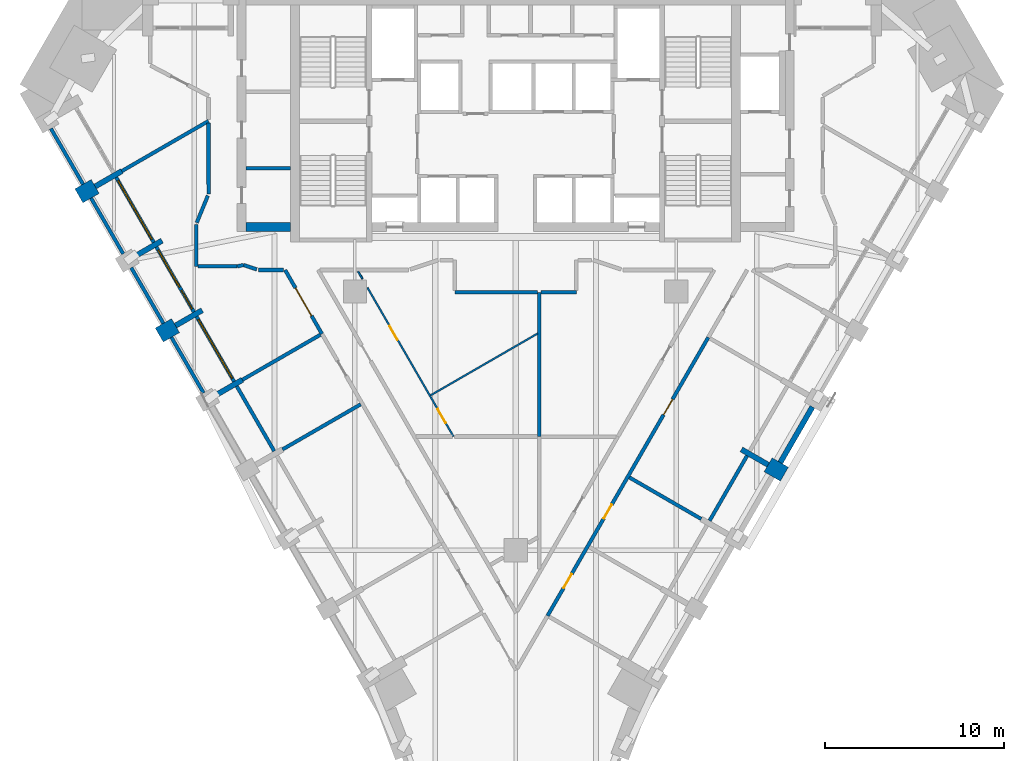
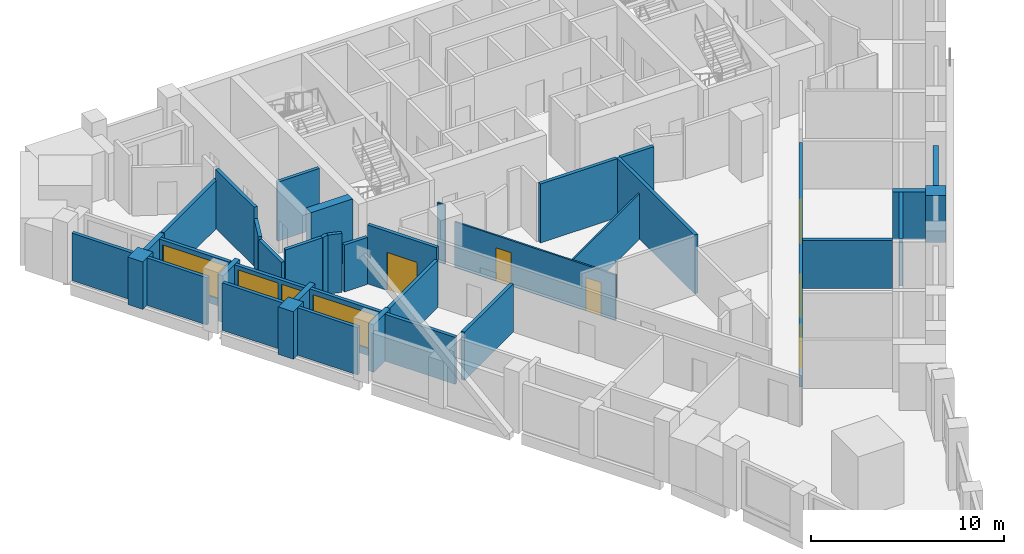
# One storey, part 4 of 10: 39 walls, 7 doors, 3 windows, 10 openings.
"""IFC4 building model written with IfcOpenShell, lengths in metres."""

from ifc_helpers import new_model, si_unit, direction, frame, frame_2d, origin, place, context, subcontext, project, spatial, polyline, rectangle, outline, extrude, material, layer, layer_set, type_object, element, fill, save


model = new_model("IFC4")

# Units and contexts
model_context = context("Model", 3, precision=1e-05, world=origin(), true_north=direction((0.0, 1.0)))
body_context = subcontext(model_context, "Body", "Model", "MODEL_VIEW")
ifc_project = project(units=[si_unit("LENGTHUNIT", "METRE"), si_unit("AREAUNIT", "SQUARE_METRE"), si_unit("VOLUMEUNIT", "CUBIC_METRE"), si_unit("PLANEANGLEUNIT", "RADIAN"), si_unit("MASSUNIT", "GRAM", prefix="KILO")], contexts=[model_context])

# Site, building, storey
site_placement = place(None, origin())
site = spatial("IfcSite", under=ifc_project, at=site_placement, CompositionType="ELEMENT")
building_placement = place(site_placement, origin())
building = spatial("IfcBuilding", under=site, at=building_placement, Name="Calabash Gate Tower", CompositionType="ELEMENT")
storey_placement = place(building_placement, frame((0.0, 0.0, 152.39990234375)))
storey = spatial("IfcBuildingStorey", under=building, at=storey_placement, Name="L35", CompositionType="ELEMENT", Elevation=152.39990234375)

# Walls
ifc_material_1 = material(Name="Terracotta brick masonry, exposed face", Category="masonry")
ifc_layer_1 = layer(ifc_material_1, 1.050048828125)
ifc_layer_set_1 = layer_set([ifc_layer_1], Name="Brick end wall 1050")
wall_type_1 = type_object("IfcWallType", Name="Brick end wall 1050", PredefinedType="SOLIDWALL", material=ifc_layer_set_1)
for number, where, z_axis, x_axis, name in (
    (1, (-24.459716796875, 7.8505859375, 0.0), (0.0, 0.0, 1.0), (0.866088799389, 0.499890179513, 0.0), "Brick pier S09 SW0.1"),
    (2, (-19.959716796875, 0.05615234375, 0.0), (0.0, 0.0, 1.0), (0.865988129768, 0.500064554934, 0.0), "Brick pier S09 SW0.3"),
    (3, (15.05029296875, -7.738037109375, 0.0), (0.0, 0.0, 1.0), (-0.865988129768, 0.500064554934, 0.0), "Brick pier S09 SE4.3"),
):
    element("IfcWall", number, at=place(storey_placement, frame(where, z_axis=z_axis, x_axis=x_axis)), inside=storey, type_object=wall_type_1, Name=name, PredefinedType="SOLIDWALL", context=body_context, shape_type="SweptSolid", body=[
        extrude(rectangle(XDim=1.050048828125, YDim=0.89990234375, at=frame_2d((0.52490234375, 0.0))), origin(), (0.0, 0.0, 1.0), 3.0),
    ])
ifc_material_2 = material(Name="Terracotta brick masonry, exposed face", Category="masonry")
ifc_layer_2 = layer(ifc_material_2, 0.300048828125)
ifc_layer_set_2 = layer_set([ifc_layer_2], Name="Brick infill panel wall 300")
wall_type_2 = type_object("IfcWallType", Name="Brick infill panel wall 300", PredefinedType="SOLIDWALL", material=ifc_layer_set_2)
wall_1_placement = place(storey_placement, frame((14.820556640625, -7.085693359375, 0.0), z_axis=(0.0, 0.0, 1.0), x_axis=(0.500012057535, 0.866018442252, 0.0)))
element("IfcWall", 4, at=wall_1_placement, inside=storey, type_object=wall_type_2, Name="Brick panel S09 SE4.4", PredefinedType="SOLIDWALL", context=body_context, shape_type="SweptSolid", body=[
    extrude(rectangle(XDim=3.60009765625, YDim=0.300048828125, at=frame_2d((1.800048828125, 0.0))), origin(), (0.0, 0.0, 1.0), 3.0),
])
ifc_material_3 = material(Name="Terracotta brick masonry, exposed face", Category="masonry")
ifc_layer_3 = layer(ifc_material_3, 0.300048828125)
ifc_layer_set_3 = layer_set([ifc_layer_3], Name="Brick loggia cheek wall 300")
wall_type_3 = type_object("IfcWallType", Name="Brick loggia cheek wall 300", PredefinedType="SOLIDWALL", material=ifc_layer_set_3)
wall_2_placement = place(storey_placement, frame((-23.55029296875, 8.37548828125, 0.0), z_axis=(0.0, 0.0, 1.0), x_axis=(0.866013532718, 0.500020560727, 0.0)))
element("IfcWall", 5, at=wall_2_placement, inside=storey, type_object=wall_type_3, Name="Loggia cheek S09 SW0.1", PredefinedType="SOLIDWALL", context=body_context, shape_type="SweptSolid", body=[
    extrude(rectangle(XDim=1.72509765625, YDim=0.300048828125, at=frame_2d((0.862548828125, 0.0))), origin(), (0.0, 0.0, 1.0), 3.0),
])
wall_3_placement = place(storey_placement, frame((-21.298828125, 4.479248046875, 0.0), z_axis=(0.0, 0.0, 1.0), x_axis=(0.866046395405, 0.499963639683, 0.0)))
element("IfcWall", 6, at=wall_3_placement, inside=storey, type_object=wall_type_3, Name="Loggia cheek S09 SW0.2", PredefinedType="SOLIDWALL", context=body_context, shape_type="SweptSolid", body=[
    extrude(rectangle(XDim=1.723388671875, YDim=0.300048828125, at=frame_2d((0.86181640625, 0.0))), origin(), (0.0, 0.0, 1.0), 2.9501953125),
])
wall_4_placement = place(storey_placement, frame((-19.05029296875, 0.581298828125, 0.0), z_axis=(0.0, 0.0, 1.0), x_axis=(0.866013532718, 0.500020560727, 0.0)))
element("IfcWall", 7, at=wall_4_placement, inside=storey, type_object=wall_type_3, Name="Loggia cheek S09 SW0.3", PredefinedType="SOLIDWALL", context=body_context, shape_type="SweptSolid", body=[
    extrude(rectangle(XDim=1.72509765625, YDim=0.300048828125, at=frame_2d((0.862548828125, 0.0))), origin(), (0.0, 0.0, 1.0), 3.0),
])
wall_5_placement = place(storey_placement, frame((-16.798583984375, -3.31494140625, 0.0), z_axis=(0.0, 0.0, 1.0), x_axis=(0.866010975815, 0.500024989144, 0.0)))
element("IfcWall", 8, at=wall_5_placement, inside=storey, type_object=wall_type_3, Name="Loggia cheek S09 SW0.4", PredefinedType="SOLIDWALL", context=body_context, shape_type="SweptSolid", body=[
    extrude(rectangle(XDim=1.72314453125, YDim=0.300048828125, at=frame_2d((0.861572265625, 0.0))), origin(), (0.0, 0.0, 1.0), 3.0),
])
wall_6_placement = place(storey_placement, frame((12.64697265625, -6.3505859375, 0.0), z_axis=(0.0, 0.0, 1.0), x_axis=(0.866074815912, -0.499914405916, 0.0)))
element("IfcWall", 9, at=wall_6_placement, inside=storey, type_object=wall_type_3, Name="Loggia cheek S09 SE4.3", PredefinedType="SOLIDWALL", context=body_context, shape_type="SweptSolid", body=[
    extrude(rectangle(XDim=1.724853515625, YDim=0.300048828125, at=frame_2d((0.8623046875, 0.0))), origin(), (0.0, 0.0, 1.0), 3.0),
])
ifc_material_4 = material(Name="Gypsum board on steel studs, mineral wool", Category="steel")
ifc_layer_4 = layer(ifc_material_4, 0.199951171875)
ifc_layer_set_4 = layer_set([ifc_layer_4], Name="Core partition 200 gypsum board")
wall_type_4 = type_object("IfcWallType", Name="Core partition 200 gypsum board", PredefinedType="PARTITIONING", material=ifc_layer_set_4)
wall_7_placement = place(storey_placement, frame((-15.10009765625, 9.402587890625, 0.0), z_axis=(0.0, 0.0, 1.0), x_axis=(1.0, 0.0, 0.0)))
element("IfcWall", 10, at=wall_7_placement, inside=storey, type_object=wall_type_4, Name="Core partition", PredefinedType="PARTITIONING", context=body_context, shape_type="SweptSolid", body=[
    extrude(rectangle(XDim=2.5, YDim=0.199951171875, at=frame_2d((1.25, 0.0))), origin(), (0.0, 0.0, 1.0), 3.72998046875),
])
ifc_material_5 = material(Name="Concrete C70/85", Category="concrete")
ifc_layer_5 = layer(ifc_material_5, 0.5)
ifc_layer_set_5 = layer_set([ifc_layer_5], Name="Core wall 500 Concrete C70/85")
wall_type_5 = type_object("IfcWallType", Name="Core wall 500 Concrete C70/85", PredefinedType="SHEAR", material=ifc_layer_set_5)
wall_8_placement = place(storey_placement, frame((-12.60009765625, 6.1025390625, 0.0), z_axis=(0.0, 0.0, 1.0), x_axis=(-1.0, 0.0, 0.0)))
element("IfcWall", 11, at=wall_8_placement, inside=storey, type_object=wall_type_5, Name="Core wall Z3-SW L35", PredefinedType="SHEAR", context=body_context, shape_type="SweptSolid", body=[
    extrude(rectangle(XDim=2.5, YDim=0.5, at=frame_2d((1.25, 0.0))), origin(), (0.0, 0.0, 1.0), 3.900146484375),
])
ifc_material_6 = material(Name="Gypsum board on steel studs, mineral wool", Category="steel")
ifc_layer_6 = layer(ifc_material_6, 0.10009765625)
ifc_layer_set_6 = layer_set([ifc_layer_6], Name="Partition 100 gypsum board")
wall_type_6 = type_object("IfcWallType", Name="Partition 100 gypsum board", PredefinedType="PARTITIONING", material=ifc_layer_set_6)
wall_9_placement = place(storey_placement, frame((-4.759033203125, -3.318115234375, 0.0), z_axis=(0.0, 0.0, 1.0), x_axis=(0.866002450397, 0.500039754326, 0.0)))
element("IfcWall", 12, at=wall_9_placement, inside=storey, type_object=wall_type_6, Name="Partition", PredefinedType="PARTITIONING", context=body_context, shape_type="SweptSolid", body=[
    extrude(rectangle(XDim=6.9267578125, YDim=0.10009765625, at=frame_2d((3.46337890625, 0.0))), origin(), (0.0, 0.0, 1.0), 2.88427734375),
])

# Wall, openings, doors
wall_10_placement = place(storey_placement, frame((-8.300048828125, 2.711669921875, 0.0), z_axis=(0.0, 0.0, 1.0), x_axis=(0.500225649327, -0.865895085882, 0.0)))
wall_10 = element("IfcWall", 13, at=wall_10_placement, inside=storey, type_object=wall_type_6, Name="Partition", PredefinedType="PARTITIONING", context=body_context, shape_type="SweptSolid", body=[
    extrude(rectangle(XDim=9.630859375, YDim=0.10009765625, at=frame_2d((4.8154296875, 0.0))), origin(), (0.0, 0.0, 1.0), 2.88427734375),
])
opening_1_placement = place(wall_10_placement, frame((2.474609375, 0.0, 0.0)))
opening_1 = element("IfcOpeningElement", 14, at=opening_1_placement, cuts=wall_10, Name="Opening 33-35-018", PredefinedType="OPENING", context=body_context, shape_type="SweptSolid", body=[
    extrude(rectangle(XDim=0.89990234375, YDim=2.10009765625, at=frame_2d((0.449951171875, 1.050048828125))), frame((0.0, 0.06005859375, 0.0), z_axis=(0.0, -1.0, 0.0), x_axis=(1.0, 0.0, 0.0)), (0.0, 0.0, 1.0), 0.1201171875),
])
opening_2_placement = place(wall_10_placement, frame((7.860595703125, 0.0, 0.0)))
opening_2 = element("IfcOpeningElement", 15, at=opening_2_placement, cuts=wall_10, Name="Opening 33-35-019", PredefinedType="OPENING", context=body_context, shape_type="SweptSolid", body=[
    extrude(rectangle(XDim=0.89990234375, YDim=2.10009765625, at=frame_2d((0.449951171875, 1.050048828125))), frame((0.0, 0.06005859375, 0.0), z_axis=(0.0, -1.0, 0.0), x_axis=(1.0, 0.0, 0.0)), (0.0, 0.0, 1.0), 0.1201171875),
])
ifc_material_7 = material(Name="Painted timber door", Category="wood")
door_type_1 = type_object("IfcDoorType", Name="WD1 WC door 900x2100", OperationType="NOTDEFINED", PredefinedType="DOOR", material=ifc_material_7)
door_1_placement = place(opening_1_placement, origin())
door_1 = element("IfcDoor", 16, at=door_1_placement, inside=storey, type_object=door_type_1, Name="WC door", OperationType="SINGLE_SWING_LEFT", OverallHeight=2.10009765625, OverallWidth=0.89990234375, PredefinedType="DOOR", context=body_context, shape_type="SweptSolid", body=[
    extrude(rectangle(XDim=0.89990234375, YDim=2.10009765625, at=frame_2d((0.449951171875, 1.050048828125))), frame((0.0, 0.02490234375, 0.0), z_axis=(0.0, -1.0, 0.0), x_axis=(1.0, 0.0, 0.0)), (0.0, 0.0, 1.0), 0.050048828125),
])
fill(opening_1, door_1)
door_2_placement = place(opening_2_placement, origin())
door_2 = element("IfcDoor", 17, at=door_2_placement, inside=storey, type_object=door_type_1, Name="WC door", OperationType="SINGLE_SWING_RIGHT", OverallHeight=2.10009765625, OverallWidth=0.89990234375, PredefinedType="DOOR", context=body_context, shape_type="SweptSolid", body=[
    extrude(rectangle(XDim=0.89990234375, YDim=2.10009765625, at=frame_2d((0.449951171875, 1.050048828125))), frame((0.0, 0.02490234375, 0.0), z_axis=(0.0, -1.0, 0.0), x_axis=(1.0, 0.0, 0.0)), (0.0, 0.0, 1.0), 0.050048828125),
])
fill(opening_2, door_2)

# Walls
wall_11_placement = place(storey_placement, frame((-8.81884765625, 3.613037109375, 0.0), z_axis=(0.0, 0.0, 1.0), x_axis=(0.497353240991, -0.867548127585, 0.0)))
element("IfcWall", 18, at=wall_11_placement, inside=storey, type_object=wall_type_6, Name="Partition", PredefinedType="PARTITIONING", context=body_context, shape_type="SweptSolid", body=[
    extrude(rectangle(XDim=0.47607421875, YDim=0.10009765625, at=frame_2d((0.238037109375, 0.0))), origin(), (0.0, 0.0, 1.0), 3.72998046875),
])
ifc_material_8 = material(Name="Gypsum board on steel studs, mineral wool", Category="steel")
ifc_layer_7 = layer(ifc_material_8, 0.199951171875)
ifc_layer_set_7 = layer_set([ifc_layer_7], Name="Partition 200 gypsum board EI 60")
wall_type_7 = type_object("IfcWallType", Name="Partition 200 gypsum board EI 60", PredefinedType="PARTITIONING", material=ifc_layer_set_7)
wall_12_placement = place(storey_placement, frame((6.37109375, -7.9208984375, 0.0), z_axis=(0.0, 0.0, 1.0), x_axis=(0.865845361661, -0.500311712526, 0.0)))
element("IfcWall", 19, at=wall_12_placement, inside=storey, type_object=wall_type_7, Name="Partition", PredefinedType="PARTITIONING", context=body_context, shape_type="SweptSolid", body=[
    extrude(rectangle(XDim=4.64990234375, YDim=0.199951171875, at=frame_2d((2.324951171875, 0.0))), origin(), (0.0, 0.0, 1.0), 3.052001953125),
])
wall_13_placement = place(storey_placement, frame((1.324462890625, -5.627197265625, 0.0), z_axis=(0.0, 0.0, 1.0), x_axis=(0.0, 1.0, 0.0)))
element("IfcWall", 20, at=wall_13_placement, inside=storey, type_object=wall_type_7, Name="Partition", PredefinedType="PARTITIONING", context=body_context, shape_type="SweptSolid", body=[
    extrude(rectangle(XDim=8.077880859375, YDim=0.199951171875, at=frame_2d((4.0390625, 0.0))), origin(), (0.0, 0.0, 1.0), 3.72998046875),
])
wall_14_placement = place(storey_placement, frame((-13.056396484375, -6.3505859375, 0.0), z_axis=(0.0, 0.0, 1.0), x_axis=(0.866221803303, 0.49965967166, 0.0)))
element("IfcWall", 21, at=wall_14_placement, inside=storey, type_object=wall_type_7, Name="Partition", PredefinedType="PARTITIONING", context=body_context, shape_type="SweptSolid", body=[
    extrude(rectangle(XDim=5.0498046875, YDim=0.199951171875, at=frame_2d((2.52490234375, 0.0))), origin(), (0.0, 0.0, 1.0), 3.052001953125),
])
wall_15_placement = place(storey_placement, frame((-15.306640625, -2.452880859375, 0.0), z_axis=(0.0, 0.0, 1.0), x_axis=(0.865894858421, 0.500226043064, 0.0)))
element("IfcWall", 22, at=wall_15_placement, inside=storey, type_object=wall_type_7, Name="Partition", PredefinedType="PARTITIONING", context=body_context, shape_type="SweptSolid", body=[
    extrude(rectangle(XDim=5.049560546875, YDim=0.199951171875, at=frame_2d((2.52490234375, 0.0))), origin(), (0.0, 0.0, 1.0), 2.9736328125),
])

# Wall, openings, doors
wall_16_placement = place(storey_placement, frame((1.78515625, -15.667724609375, 0.0), z_axis=(0.0, 0.0, 1.0), x_axis=(0.5000018851, 0.866024315419, 0.0)))
wall_16 = element("IfcWall", 23, at=wall_16_placement, inside=storey, type_object=wall_type_7, Name="Partition", PredefinedType="PARTITIONING", context=body_context, shape_type="SweptSolid", body=[
    extrude(rectangle(XDim=18.0, YDim=0.199951171875, at=frame_2d((9.0, 0.0))), origin(), (0.0, 0.0, 1.0), 2.88427734375),
])
opening_3_placement = place(wall_16_placement, frame((1.7998046875, 0.0, 0.0)))
opening_3 = element("IfcOpeningElement", 24, at=opening_3_placement, cuts=wall_16, Name="Opening 33-35-004", PredefinedType="OPENING", context=body_context, shape_type="SweptSolid", body=[
    extrude(rectangle(XDim=0.89990234375, YDim=2.10009765625, at=frame_2d((0.449951171875, 1.050048828125))), frame((0.0, 0.10986328125, 0.0), z_axis=(0.0, -1.0, 0.0), x_axis=(1.0, 0.0, 0.0)), (0.0, 0.0, 1.0), 0.219970703125),
])
opening_4_placement = place(wall_16_placement, frame((6.300048828125, 0.0, 0.0)))
opening_4 = element("IfcOpeningElement", 25, at=opening_4_placement, cuts=wall_16, Name="Opening 33-35-005", PredefinedType="OPENING", context=body_context, shape_type="SweptSolid", body=[
    extrude(rectangle(XDim=0.89990234375, YDim=2.10009765625, at=frame_2d((0.449951171875, 1.050048828125))), frame((0.0, 0.10986328125, 0.0), z_axis=(0.0, -1.0, 0.0), x_axis=(1.0, 0.0, 0.0)), (0.0, 0.0, 1.0), 0.219970703125),
])
opening_5_placement = place(wall_16_placement, frame((13.0, 0.0, 0.0)))
opening_5 = element("IfcOpeningElement", 26, at=opening_5_placement, cuts=wall_16, Name="Opening 33-35-006", PredefinedType="OPENING", context=body_context, shape_type="SweptSolid", body=[
    extrude(rectangle(XDim=1.0, YDim=2.10009765625, at=frame_2d((0.5, 1.050048828125))), frame((0.0, 0.10986328125, 0.0), z_axis=(0.0, -1.0, 0.0), x_axis=(1.0, 0.0, 0.0)), (0.0, 0.0, 1.0), 0.219970703125),
])
ifc_material_9 = material(Name="Steel fire door set with fire-resisting glazing", Category="steel")
door_type_2 = type_object("IfcDoorType", Name="LD2 Meeting room door 1000x2100", OperationType="NOTDEFINED", PredefinedType="DOOR", material=ifc_material_9)
door_3_placement = place(opening_5_placement, origin())
door_3 = element("IfcDoor", 27, at=door_3_placement, inside=storey, type_object=door_type_2, Name="Meeting room door", OperationType="SINGLE_SWING_RIGHT", OverallHeight=2.10009765625, OverallWidth=1.0, PredefinedType="DOOR", context=body_context, shape_type="SweptSolid", body=[
    extrude(rectangle(XDim=1.0, YDim=2.10009765625, at=frame_2d((0.5, 1.050048828125))), frame((0.0, 0.02490234375, 0.0), z_axis=(0.0, -1.0, 0.0), x_axis=(1.0, 0.0, 0.0)), (0.0, 0.0, 1.0), 0.050048828125),
])
fill(opening_5, door_3)
ifc_material_10 = material(Name="Painted timber door", Category="wood")
door_type_3 = type_object("IfcDoorType", Name="OD1 Office door 900x2100", OperationType="NOTDEFINED", PredefinedType="DOOR", material=ifc_material_10)
door_4_placement = place(opening_3_placement, origin())
door_4 = element("IfcDoor", 28, at=door_4_placement, inside=storey, type_object=door_type_3, Name="Office door", OperationType="SINGLE_SWING_RIGHT", OverallHeight=2.10009765625, OverallWidth=0.89990234375, PredefinedType="DOOR", context=body_context, shape_type="SweptSolid", body=[
    extrude(rectangle(XDim=0.89990234375, YDim=2.10009765625, at=frame_2d((0.449951171875, 1.050048828125))), frame((0.0, 0.02490234375, 0.0), z_axis=(0.0, -1.0, 0.0), x_axis=(1.0, 0.0, 0.0)), (0.0, 0.0, 1.0), 0.050048828125),
])
fill(opening_3, door_4)
door_5_placement = place(opening_4_placement, origin())
door_5 = element("IfcDoor", 29, at=door_5_placement, inside=storey, type_object=door_type_3, Name="Office door", OperationType="SINGLE_SWING_RIGHT", OverallHeight=2.10009765625, OverallWidth=0.89990234375, PredefinedType="DOOR", context=body_context, shape_type="SweptSolid", body=[
    extrude(rectangle(XDim=0.89990234375, YDim=2.10009765625, at=frame_2d((0.449951171875, 1.050048828125))), frame((0.0, 0.02490234375, 0.0), z_axis=(0.0, -1.0, 0.0), x_axis=(1.0, 0.0, 0.0)), (0.0, 0.0, 1.0), 0.050048828125),
])
fill(opening_4, door_5)

# Wall, opening, door
wall_17_placement = place(storey_placement, frame((-12.91259765625, 3.699462890625, 0.0), z_axis=(0.0, 0.0, 1.0), x_axis=(0.499679817836, -0.866210182143, 0.0)))
wall_17 = element("IfcWall", 30, at=wall_17_placement, inside=storey, type_object=wall_type_7, Name="Partition", PredefinedType="PARTITIONING", context=body_context, shape_type="SweptSolid", body=[
    extrude(rectangle(XDim=4.131103515625, YDim=0.199951171875, at=frame_2d((2.0654296875, 0.0))), origin(), (0.0, 0.0, 1.0), 3.72998046875),
])
opening_6_placement = place(wall_17_placement, frame((1.16552734375, 0.0, 0.0)))
opening_6 = element("IfcOpeningElement", 31, at=opening_6_placement, cuts=wall_17, Name="Opening 33-35-012", PredefinedType="OPENING", context=body_context, shape_type="SweptSolid", body=[
    extrude(rectangle(XDim=1.800048828125, YDim=2.39990234375, at=frame_2d((0.89990234375, 1.199951171875))), frame((0.0, 0.10986328125, 0.0), z_axis=(0.0, -1.0, 0.0), x_axis=(1.0, 0.0, 0.0)), (0.0, 0.0, 1.0), 0.219970703125),
])
ifc_material_11 = material(Name="Steel fire door set with fire-resisting glazing", Category="steel")
door_type_4 = type_object("IfcDoorType", Name="OD5 Open office double door 1800x2400", OperationType="NOTDEFINED", PredefinedType="DOOR", material=ifc_material_11)
door_6_placement = place(opening_6_placement, origin())
door_6 = element("IfcDoor", 32, at=door_6_placement, inside=storey, type_object=door_type_4, Name="Open office double door", OperationType="DOUBLE_DOOR_SINGLE_SWING", OverallHeight=2.39990234375, OverallWidth=1.800048828125, PredefinedType="DOOR", context=body_context, shape_type="SweptSolid", body=[
    extrude(rectangle(XDim=1.800048828125, YDim=2.39990234375, at=frame_2d((0.89990234375, 1.199951171875))), frame((0.0, 0.02490234375, 0.0), z_axis=(0.0, -1.0, 0.0), x_axis=(1.0, 0.0, 0.0)), (0.0, 0.0, 1.0), 0.050048828125),
])
fill(opening_6, door_6)

# Walls
wall_18_placement = place(storey_placement, frame((-3.400146484375, 2.452392578125, 0.0), z_axis=(0.0, 0.0, 1.0), x_axis=(0.999999931717, -0.000369549125, 0.0)))
element("IfcWall", 33, at=wall_18_placement, inside=storey, type_object=wall_type_7, Name="Partition", PredefinedType="PARTITIONING", context=body_context, shape_type="SweptSolid", body=[
    extrude(rectangle(XDim=4.62451171875, YDim=0.199951171875, at=frame_2d((2.312255859375, 0.0))), origin(), (0.0, 0.0, 1.0), 3.72998046875),
])
wall_19_placement = place(storey_placement, frame((1.426513671875, 2.45068359375, 0.0), z_axis=(0.0, 0.0, 1.0), x_axis=(0.999999625102, 0.000865907642, 0.0)))
element("IfcWall", 34, at=wall_19_placement, inside=storey, type_object=wall_type_7, Name="Partition", PredefinedType="PARTITIONING", context=body_context, shape_type="SweptSolid", body=[
    extrude(rectangle(XDim=1.9736328125, YDim=0.199951171875, at=frame_2d((0.98681640625, 0.0))), origin(), (0.0, 0.0, 1.0), 3.72998046875),
])
wall_20_placement = place(storey_placement, frame((-14.400146484375, 3.699462890625, 0.0), z_axis=(0.0, 0.0, 1.0), x_axis=(1.0, 0.0, 0.0)))
element("IfcWall", 35, at=wall_20_placement, inside=storey, type_object=wall_type_7, Name="Partition", PredefinedType="PARTITIONING", context=body_context, shape_type="SweptSolid", body=[
    extrude(rectangle(XDim=1.387451171875, YDim=0.199951171875, at=frame_2d((0.69384765625, 0.0))), origin(), (0.0, 0.0, 1.0), 2.9736328125),
])
wall_21_placement = place(storey_placement, frame((-15.233642578125, 3.977294921875, 0.0), z_axis=(0.0, 0.0, 1.0), x_axis=(0.948745985677, -0.316039640966, 0.0)))
element("IfcWall", 36, at=wall_21_placement, inside=storey, type_object=wall_type_7, Name="Partition", PredefinedType="PARTITIONING", context=body_context, shape_type="SweptSolid", body=[
    extrude(rectangle(XDim=0.778564453125, YDim=0.199951171875, at=frame_2d((0.38916015625, 0.0))), origin(), (0.0, 0.0, 1.0), 3.72998046875),
])
wall_22_placement = place(storey_placement, frame((-17.900390625, 6.252685546875, 0.0), z_axis=(0.0, 0.0, 1.0), x_axis=(0.0, -1.0, 0.0)))
element("IfcWall", 37, at=wall_22_placement, inside=storey, type_object=wall_type_7, Name="Partition", PredefinedType="PARTITIONING", context=body_context, shape_type="SweptSolid", body=[
    extrude(rectangle(XDim=2.35302734375, YDim=0.199951171875, at=frame_2d((1.176513671875, 0.0))), origin(), (0.0, 0.0, 1.0), 2.9501953125),
])
wall_23_placement = place(storey_placement, frame((-17.80029296875, 3.899658203125, 0.0), z_axis=(0.0, 0.0, 1.0), x_axis=(0.999999993844, -0.00011096316, 0.0)))
element("IfcWall", 38, at=wall_23_placement, inside=storey, type_object=wall_type_7, Name="Partition", PredefinedType="PARTITIONING", context=body_context, shape_type="SweptSolid", body=[
    extrude(rectangle(XDim=2.2001953125, YDim=0.199951171875, at=frame_2d((1.10009765625, 0.0))), origin(), (0.0, 0.0, 1.0), 3.72998046875),
])
wall_24_placement = place(storey_placement, frame((-15.60009765625, 3.8994140625, 0.0), z_axis=(0.0, 0.0, 1.0), x_axis=(0.978153882022, 0.207882137485, 0.0)))
element("IfcWall", 39, at=wall_24_placement, inside=storey, type_object=wall_type_7, Name="Partition", PredefinedType="PARTITIONING", context=body_context, shape_type="SweptSolid", body=[
    extrude(rectangle(XDim=0.374755859375, YDim=0.199951171875, at=frame_2d((0.1875, 0.0))), origin(), (0.0, 0.0, 1.0), 3.72998046875),
])
wall_25_placement = place(storey_placement, frame((-17.8623046875, 6.34521484375, 0.0), z_axis=(0.0, 0.0, 1.0), x_axis=(0.380749805254, 0.924678098475, 0.0)))
element("IfcWall", 40, at=wall_25_placement, inside=storey, type_object=wall_type_7, Name="Partition", PredefinedType="PARTITIONING", context=body_context, shape_type="SweptSolid", body=[
    extrude(rectangle(XDim=1.63818359375, YDim=0.199951171875, at=frame_2d((0.819091796875, 0.0))), origin(), (0.0, 0.0, 1.0), 3.052001953125),
])
wall_26_placement = place(storey_placement, frame((-17.201904296875, 11.940673828125, 0.0), z_axis=(0.0, 0.0, 1.0), x_axis=(0.000367309433, -0.999999932542, 0.0)))
element("IfcWall", 41, at=wall_26_placement, inside=storey, type_object=wall_type_7, Name="Partition", PredefinedType="PARTITIONING", context=body_context, shape_type="SweptSolid", body=[
    extrude(rectangle(XDim=3.988037109375, YDim=0.199951171875, at=frame_2d((1.994140625, 0.0))), origin(), (0.0, 0.0, 1.0), 3.72998046875),
])
wall_27_placement = place(storey_placement, frame((-22.056396484375, 9.238037109375, 0.0), z_axis=(0.0, 0.0, 1.0), x_axis=(0.865883930219, 0.500244959384, 0.0)))
element("IfcWall", 42, at=wall_27_placement, inside=storey, type_object=wall_type_7, Name="Partition", PredefinedType="PARTITIONING", context=body_context, shape_type="SweptSolid", body=[
    extrude(rectangle(XDim=5.608154296875, YDim=0.199951171875, at=frame_2d((2.80419921875, 0.0))), origin(), (0.0, 0.0, 1.0), 3.052001953125),
])
ifc_material_12 = material(Name="Terracotta brick masonry, perforated", Category="masonry")
ifc_layer_8 = layer(ifc_material_12, 0.199951171875)
ifc_layer_set_8 = layer_set([ifc_layer_8], Name="Terracotta jaali screen A")
wall_type_8 = type_object("IfcWallType", Name="Terracotta jaali screen A", PredefinedType="SOLIDWALL", material=ifc_layer_set_8)
wall_28_placement = place(storey_placement, origin())
element("IfcWall", 43, at=wall_28_placement, inside=storey, type_object=wall_type_8, Name="SCREEN A S09 SW0.1", PredefinedType="SOLIDWALL", context=body_context, shape_type="SweptSolid", body=[
    extrude(outline(polyline([(-24.143310546875, 8.552734375), (-25.94287109375, 11.66943359375), (-26.115966796875, 11.5693359375), (-24.316650390625, 8.45263671875), (-24.143310546875, 8.552734375)])), origin(), (0.0, 0.0, 1.0), 3.0),
])
wall_29_placement = place(storey_placement, frame((-23.780029296875, 7.72314453125, 0.0), z_axis=(0.0, 0.0, 1.0), x_axis=(0.500012057535, -0.866018442252, 0.0)))
element("IfcWall", 44, at=wall_29_placement, inside=storey, type_object=wall_type_8, Name="SCREEN A S09 SW0.2", PredefinedType="SOLIDWALL", context=body_context, shape_type="SweptSolid", body=[
    extrude(rectangle(XDim=3.60009765625, YDim=0.199951171875, at=frame_2d((1.800048828125, 0.0))), origin(), (0.0, 0.0, 1.0), 3.0),
])
wall_30_placement = place(storey_placement, origin())
element("IfcWall", 45, at=wall_30_placement, inside=storey, type_object=wall_type_8, Name="SCREEN A S09 SW0.3", PredefinedType="SOLIDWALL", context=body_context, shape_type="SweptSolid", body=[
    extrude(outline(polyline([(-19.643310546875, 0.758544921875), (-21.44287109375, 3.87548828125), (-21.6162109375, 3.775390625), (-19.816650390625, 0.658447265625), (-19.643310546875, 0.758544921875)])), origin(), (0.0, 0.0, 1.0), 3.0),
])
wall_31_placement = place(storey_placement, frame((-19.280029296875, -0.071044921875, 0.0), z_axis=(0.0, 0.0, 1.0), x_axis=(0.500012057535, -0.866018442252, 0.0)))
element("IfcWall", 46, at=wall_31_placement, inside=storey, type_object=wall_type_8, Name="SCREEN A S09 SW0.4", PredefinedType="SOLIDWALL", context=body_context, shape_type="SweptSolid", body=[
    extrude(rectangle(XDim=3.60009765625, YDim=0.199951171875, at=frame_2d((1.800048828125, 0.0))), origin(), (0.0, 0.0, 1.0), 3.0),
])

# Wall, opening, window
ifc_material_13 = material(Name="Aluminium framed window wall with insulated spandrel", Category="aluminium")
ifc_layer_9 = layer(ifc_material_13, 0.199951171875)
ifc_layer_set_9 = layer_set([ifc_layer_9], Name="Window wall 200")
wall_type_9 = type_object("IfcWallType", Name="Window wall 200", PredefinedType="ELEMENTEDWALL", material=ifc_layer_set_9)
wall_32_placement = place(storey_placement, frame((-22.37109375, 8.883056640625, 0.0), z_axis=(0.0, 0.0, 1.0), x_axis=(0.49998411664, -0.866034573852, 0.0)))
wall_32 = element("IfcWall", 47, at=wall_32_placement, inside=storey, type_object=wall_type_9, Name="Window wall S09 SW0.2", PredefinedType="ELEMENTEDWALL", context=body_context, shape_type="SweptSolid", body=[
    extrude(rectangle(XDim=4.199951171875, YDim=0.199951171875, at=frame_2d((2.10009765625, 0.0))), origin(), (0.0, 0.0, 1.0), 3.0),
])
opening_7_placement = place(wall_32_placement, frame((0.199951171875, 0.0, 0.449951171875)))
opening_7 = element("IfcOpeningElement", 48, at=opening_7_placement, cuts=wall_32, Name="Opening OW2", PredefinedType="OPENING", context=body_context, shape_type="SweptSolid", body=[
    extrude(rectangle(XDim=3.800048828125, YDim=2.25, at=frame_2d((1.89990234375, 1.125))), frame((0.0, 0.10986328125, 0.0), z_axis=(0.0, -1.0, 0.0), x_axis=(1.0, 0.0, 0.0)), (0.0, 0.0, 1.0), 0.219970703125),
])
ifc_material_14 = material(Name="Anodised aluminium frame, bronze finish, impact-rated laminated clear glazing", Category="aluminium")
window_type_1 = type_object("IfcWindowType", Name="Window OW2 3800x2250", PartitioningType="TRIPLE_PANEL_VERTICAL", PredefinedType="WINDOW", material=ifc_material_14)
window_1_placement = place(opening_7_placement, origin())
window_1 = element("IfcWindow", 49, at=window_1_placement, inside=storey, type_object=window_type_1, Name="Window OW2 S09 SW0.2", OverallHeight=2.25, OverallWidth=3.800048828125, PartitioningType="SINGLE_PANEL", PredefinedType="WINDOW", context=body_context, shape_type="SweptSolid", body=[
    extrude(rectangle(XDim=3.800048828125, YDim=2.25, at=frame_2d((1.89990234375, 1.125))), frame((0.0, 0.030029296875, 0.0), z_axis=(0.0, -1.0, 0.0), x_axis=(1.0, 0.0, 0.0)), (0.0, 0.0, 1.0), 0.06005859375),
])
fill(opening_7, window_1)

# Wall, openings, door, window
wall_33_placement = place(storey_placement, frame((-20.12109375, 4.98583984375, 0.0), z_axis=(0.0, 0.0, 1.0), x_axis=(0.49998411664, -0.866034573852, 0.0)))
wall_33 = element("IfcWall", 50, at=wall_33_placement, inside=storey, type_object=wall_type_9, Name="Window wall S09 SW0.3", PredefinedType="ELEMENTEDWALL", context=body_context, shape_type="SweptSolid", body=[
    extrude(rectangle(XDim=4.199951171875, YDim=0.199951171875, at=frame_2d((2.10009765625, 0.0))), origin(), (0.0, 0.0, 1.0), 2.9501953125),
])
opening_8_placement = place(wall_33_placement, frame((0.199951171875, 0.0, 0.449951171875)))
opening_8 = element("IfcOpeningElement", 51, at=opening_8_placement, cuts=wall_33, Name="Opening OW1", PredefinedType="OPENING", context=body_context, shape_type="SweptSolid", body=[
    extrude(rectangle(XDim=2.39990234375, YDim=2.25, at=frame_2d((1.199951171875, 1.125))), frame((0.0, 0.10986328125, 0.0), z_axis=(0.0, -1.0, 0.0), x_axis=(1.0, 0.0, 0.0)), (0.0, 0.0, 1.0), 0.219970703125),
])
opening_9_placement = place(wall_33_placement, frame((2.800048828125, 0.0, 0.0)))
opening_9 = element("IfcOpeningElement", 52, at=opening_9_placement, cuts=wall_33, Name="Opening O1-025", PredefinedType="OPENING", context=body_context, shape_type="SweptSolid", body=[
    extrude(rectangle(XDim=1.199951171875, YDim=2.699951171875, at=frame_2d((0.60009765625, 1.35009765625))), frame((0.0, 0.10986328125, 0.0), z_axis=(0.0, -1.0, 0.0), x_axis=(1.0, 0.0, 0.0)), (0.0, 0.0, 1.0), 0.219970703125),
])
ifc_material_15 = material(Name="Anodised aluminium frame, bronze finish, impact-rated laminated clear glazing", Category="aluminium")
door_type_5 = type_object("IfcDoorType", Name="Loggia door DO1 1200x2700", OperationType="SLIDING_TO_LEFT", PredefinedType="DOOR", material=ifc_material_15)
door_7_placement = place(opening_9_placement, origin())
door_7 = element("IfcDoor", 53, at=door_7_placement, inside=storey, type_object=door_type_5, Name="Loggia door S09 SW0.3", OperationType="SINGLE_SWING_LEFT", OverallHeight=2.699951171875, OverallWidth=1.199951171875, PredefinedType="DOOR", context=body_context, shape_type="SweptSolid", body=[
    extrude(rectangle(XDim=1.199951171875, YDim=2.699951171875, at=frame_2d((0.60009765625, 1.35009765625))), frame((0.0, 0.02490234375, 0.0), z_axis=(0.0, -1.0, 0.0), x_axis=(1.0, 0.0, 0.0)), (0.0, 0.0, 1.0), 0.050048828125),
])
fill(opening_9, door_7)
ifc_material_16 = material(Name="Anodised aluminium frame, bronze finish, impact-rated laminated clear glazing", Category="aluminium")
window_type_2 = type_object("IfcWindowType", Name="Window OW1 2400x2250", PartitioningType="DOUBLE_PANEL_VERTICAL", PredefinedType="WINDOW", material=ifc_material_16)
window_2_placement = place(opening_8_placement, origin())
window_2 = element("IfcWindow", 54, at=window_2_placement, inside=storey, type_object=window_type_2, Name="Window OW1 S09 SW0.3", OverallHeight=2.25, OverallWidth=2.39990234375, PartitioningType="SINGLE_PANEL", PredefinedType="WINDOW", context=body_context, shape_type="SweptSolid", body=[
    extrude(rectangle(XDim=2.39990234375, YDim=2.25, at=frame_2d((1.199951171875, 1.125))), frame((0.0, 0.030029296875, 0.0), z_axis=(0.0, -1.0, 0.0), x_axis=(1.0, 0.0, 0.0)), (0.0, 0.0, 1.0), 0.06005859375),
])
fill(opening_8, window_2)

# Wall, opening, window
wall_34_placement = place(storey_placement, frame((-17.87109375, 1.0888671875, 0.0), z_axis=(0.0, 0.0, 1.0), x_axis=(0.499958946799, -0.866049104564, 0.0)))
wall_34 = element("IfcWall", 55, at=wall_34_placement, inside=storey, type_object=wall_type_9, Name="Window wall S09 SW0.4", PredefinedType="ELEMENTEDWALL", context=body_context, shape_type="SweptSolid", body=[
    extrude(rectangle(XDim=4.199951171875, YDim=0.199951171875, at=frame_2d((2.10009765625, 0.0))), origin(), (0.0, 0.0, 1.0), 3.0),
])
opening_10_placement = place(wall_34_placement, frame((0.199951171875, 0.0, 0.449951171875)))
opening_10 = element("IfcOpeningElement", 56, at=opening_10_placement, cuts=wall_34, Name="Opening OW2", PredefinedType="OPENING", context=body_context, shape_type="SweptSolid", body=[
    extrude(rectangle(XDim=3.800048828125, YDim=2.25, at=frame_2d((1.89990234375, 1.125))), frame((0.0, 0.10986328125, 0.0), z_axis=(0.0, -1.0, 0.0), x_axis=(1.0, 0.0, 0.0)), (0.0, 0.0, 1.0), 0.219970703125),
])
window_3_placement = place(opening_10_placement, origin())
window_3 = element("IfcWindow", 57, at=window_3_placement, inside=storey, type_object=window_type_1, Name="Window OW2 S09 SW0.4", OverallHeight=2.25, OverallWidth=3.800048828125, PartitioningType="SINGLE_PANEL", PredefinedType="WINDOW", context=body_context, shape_type="SweptSolid", body=[
    extrude(rectangle(XDim=3.800048828125, YDim=2.25, at=frame_2d((1.89990234375, 1.125))), frame((0.0, 0.030029296875, 0.0), z_axis=(0.0, -1.0, 0.0), x_axis=(1.0, 0.0, 0.0)), (0.0, 0.0, 1.0), 0.06005859375),
])
fill(opening_10, window_3)

# Walls
wall_35_placement = place(storey_placement, frame((-15.62109375, -2.808349609375, 0.0), z_axis=(0.0, 0.0, 1.0), x_axis=(0.49998411664, -0.866034573852, 0.0)))
element("IfcWall", 58, at=wall_35_placement, inside=storey, type_object=wall_type_9, Name="Window wall S09 SW0.5", PredefinedType="ELEMENTEDWALL", context=body_context, shape_type="SweptSolid", body=[
    extrude(rectangle(XDim=4.199951171875, YDim=0.199951171875, at=frame_2d((2.10009765625, 0.0))), origin(), (0.0, 0.0, 1.0), 2.9736328125),
])
wall_36_placement = place(storey_placement, frame((10.861572265625, -10.3427734375, 0.0), z_axis=(0.0, 0.0, 1.0), x_axis=(0.500002543286, 0.866023935413, 0.0)))
element("IfcWall", 59, at=wall_36_placement, inside=storey, type_object=wall_type_9, Name="Window wall S09 SE4.3", PredefinedType="ELEMENTEDWALL", context=body_context, shape_type="SweptSolid", body=[
    extrude(rectangle(XDim=4.2001953125, YDim=0.199951171875, at=frame_2d((2.10009765625, 0.0))), origin(), (0.0, 0.0, 1.0), 3.0),
])

save(model, "model.ifc")
